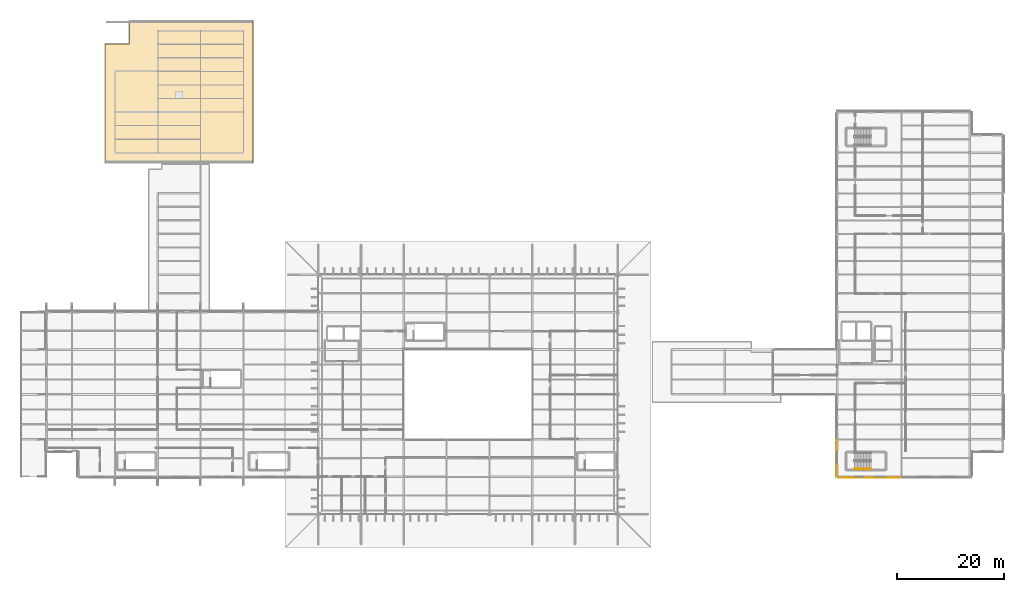
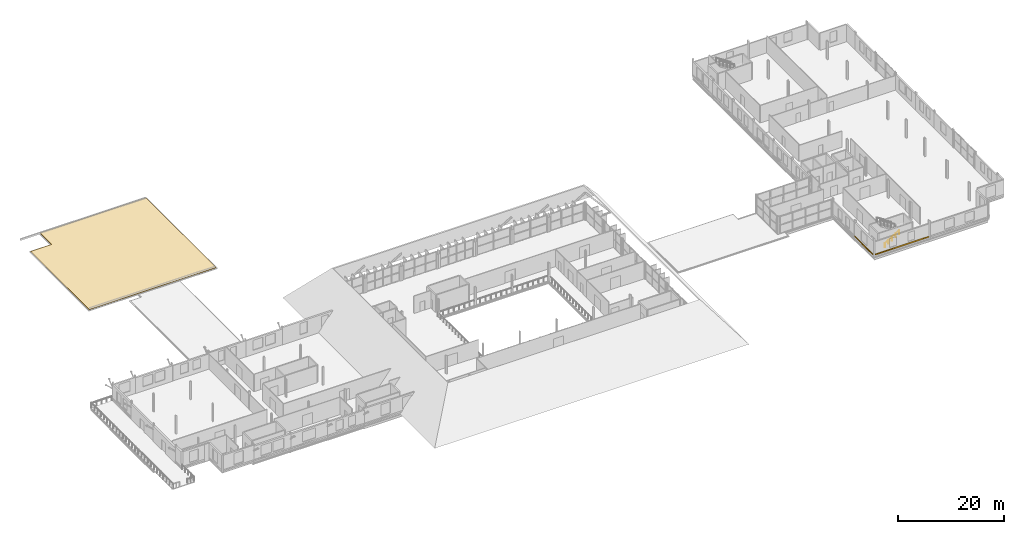
# One storey, part 90 of 93: 3 coverings, 1 railing.
"""IFC4 building model written with IfcOpenShell, lengths in metres."""

from ifc_helpers import new_model, si_unit, direction, frame, origin, origin_2d, place, context, subcontext, project, spatial, polyline, rectangle, circle, outline, extrude, material, layer, layer_set, type_object, element, save


model = new_model("IFC4")

# Units and contexts
model_context = context("Model", 3, precision=1e-05, world=origin(), true_north=direction((0.0, 1.0)))
body_context = subcontext(model_context, "Body", "Model", "MODEL_VIEW")
ifc_project = project(units=[si_unit("LENGTHUNIT", "METRE"), si_unit("AREAUNIT", "SQUARE_METRE"), si_unit("VOLUMEUNIT", "CUBIC_METRE"), si_unit("PLANEANGLEUNIT", "RADIAN"), si_unit("MASSUNIT", "GRAM", prefix="KILO")], contexts=[model_context])

# Site, building, storey
site_placement = place(None, origin())
site = spatial("IfcSite", under=ifc_project, at=site_placement, CompositionType="ELEMENT")
building_placement = place(site_placement, origin())
building = spatial("IfcBuilding", under=site, at=building_placement, Name="Vekula Escarpment Museum", CompositionType="ELEMENT")
storey_placement = place(building_placement, frame((0.0, 0.0, 22.199951171875)))
storey = spatial("IfcBuildingStorey", under=building, at=storey_placement, Name="L05", CompositionType="ELEMENT", Elevation=22.199951171875)

# Coverings
ifc_material_1 = material(Name="Polychrome limestone almasik string-course band", Category="masonry")
ifc_layer_1 = layer(ifc_material_1, 0.06005859375)
ifc_layer_set_1 = layer_set([ifc_layer_1], Name="Polychrome limestone almasik string-course band")
covering_type_1 = type_object("IfcCoveringType", Name="COV-ALM-BAND", PredefinedType="CLADDING", material=ifc_layer_set_1)
covering_1_placement = place(storey_placement, frame((166.833984375, 56.10009765625, 0.41015625), z_axis=(0.0, 0.0, 1.0), x_axis=(0.0, 1.0, 0.0)))
element("IfcCovering", 1, at=covering_1_placement, inside=storey, type_object=covering_type_1, Name="Almasik Stone String Course L05-0650", PredefinedType="CLADDING", context=body_context, shape_type="SweptSolid", body=[
    extrude(rectangle(XDim=6.8798828125, YDim=0.06005859375, at=origin_2d()), origin(), (0.0, 0.0, 1.0), 0.219970703125),
])
covering_2_placement = place(storey_placement, frame((173.072021484375, 52.43408203125, 0.41015625), z_axis=(0.0, 0.0, 1.0), x_axis=(1.0, 0.0, 0.0)))
element("IfcCovering", 2, at=covering_2_placement, inside=storey, type_object=covering_type_1, Name="Almasik Stone String Course L05-0651", PredefinedType="CLADDING", context=body_context, shape_type="SweptSolid", body=[
    extrude(rectangle(XDim=11.736083984375, YDim=0.06005859375, at=origin_2d()), origin(), (0.0, 0.0, 1.0), 0.219970703125),
])
ifc_material_2 = material(Name="Standing-seam patinated copper roofing", Category="metal")
ifc_layer_2 = layer(ifc_material_2, 0.06005859375)
ifc_layer_set_2 = layer_set([ifc_layer_2], Name="Standing-seam patinated copper roofing")
covering_type_2 = type_object("IfcCoveringType", Name="COV-ROOF-COPPER", PredefinedType="ROOFING", material=ifc_layer_set_2)
covering_3_placement = place(storey_placement, origin())
element("IfcCovering", 3, at=covering_3_placement, inside=storey, type_object=covering_type_2, Name="Overhanging Eave Roof Covering R-L05-V5NW", PredefinedType="ROOFING", context=body_context, shape_type="SweptSolid", body=[
    extrude(outline(polyline([(30.179931640625, 133.488037109375), (34.739990234375, 133.488037109375), (34.739990234375, 137.820068359375), (57.820068359375, 137.820068359375), (57.820068359375, 111.3798828125), (30.179931640625, 111.3798828125), (30.179931640625, 133.488037109375)])), origin(), (0.0, 0.0, 1.0), 0.06005859375),
])

# Railing
ifc_material_3 = material(Name="Brushed stainless steel handrail", Category="steel")
railing_type = type_object("IfcRailingType", Name="RL-STAIR-HAND", PredefinedType="HANDRAIL", material=ifc_material_3)
railing_placement = place(storey_placement, frame((170.25, 54.050048828125, 0.175048828125)))
element("IfcRailing", 4, at=railing_placement, inside=storey, type_object=railing_type, Name="L05 ST-02 stair handrail 1", PredefinedType="HANDRAIL", context=body_context, shape_type="SweptSolid", body=[
    extrude(circle(Radius=0.02392578125, at=origin_2d()), frame((0.0, 0.0, 0.8759765625), z_axis=(0.847998304005, 0.0, 0.529998940003), x_axis=(0.0, 1.0, 0.0)), (0.0, 0.0, 1.0), 3.632080078125),
    extrude(circle(Radius=0.02099609375, at=origin_2d()), origin(), (0.0, 0.0, 1.0), 0.851806640625),
    extrude(circle(Radius=0.02099609375, at=origin_2d()), frame((0.77001953125, 0.0, 0.481201171875)), (0.0, 0.0, 1.0), 0.851806640625),
    extrude(circle(Radius=0.02099609375, at=origin_2d()), frame((1.5400390625, 0.0, 0.96240234375)), (0.0, 0.0, 1.0), 0.851806640625),
    extrude(circle(Radius=0.02099609375, at=origin_2d()), frame((2.31005859375, 0.0, 1.44384765625)), (0.0, 0.0, 1.0), 0.851806640625),
    extrude(circle(Radius=0.02099609375, at=origin_2d()), frame((3.080078125, 0.0, 1.925048828125)), (0.0, 0.0, 1.0), 0.851806640625),
])

save(model, "model.ifc")
